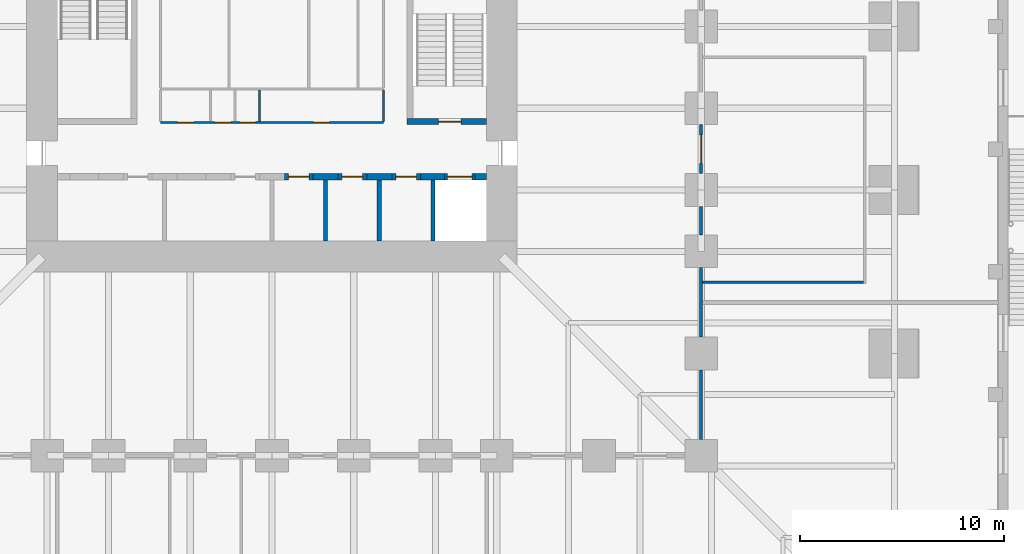
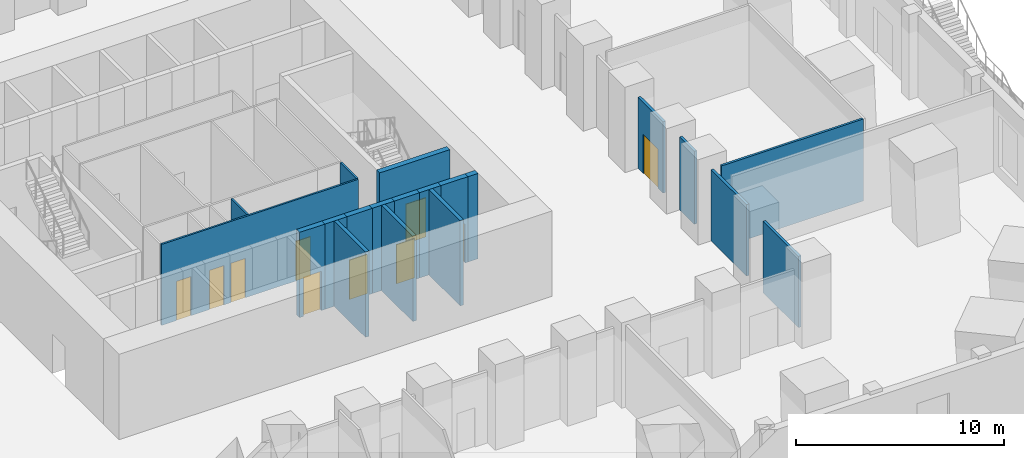
# One storey, part 11 of 20: 20 walls, 10 doors, 10 openings.
"""IFC4 building model written with IfcOpenShell, lengths in metres."""

from ifc_helpers import new_model, si_unit, direction, frame, frame_2d, origin, place, context, subcontext, project, spatial, rectangle, extrude, material, layer, layer_set, type_object, element, fill, save


model = new_model("IFC4")

# Units and contexts
model_context = context("Model", 3, precision=1e-05, world=origin(), true_north=direction((0.0, 1.0)))
body_context = subcontext(model_context, "Body", "Model", "MODEL_VIEW")
ifc_project = project(units=[si_unit("LENGTHUNIT", "METRE"), si_unit("AREAUNIT", "SQUARE_METRE"), si_unit("VOLUMEUNIT", "CUBIC_METRE"), si_unit("PLANEANGLEUNIT", "RADIAN"), si_unit("MASSUNIT", "GRAM", prefix="KILO")], contexts=[model_context])

# Site, building, storey
site_placement = place(None, origin())
site = spatial("IfcSite", under=ifc_project, at=site_placement, CompositionType="ELEMENT")
building_placement = place(site_placement, origin())
building = spatial("IfcBuilding", under=site, at=building_placement, Name="Peilmerk Tower", CompositionType="ELEMENT")
storey_placement = place(building_placement, frame((0.0, 0.0, 11.0)))
storey = spatial("IfcBuildingStorey", under=building, at=storey_placement, Name="L02", CompositionType="ELEMENT", Elevation=11.0)

# Walls
ifc_material_1 = material(Name="Calcium silicate block", Category="masonry")
ifc_layer_1 = layer(ifc_material_1, 0.14990234375)
ifc_layer_set_1 = layer_set([ifc_layer_1], Name="Calcium silicate block")
wall_type_1 = type_object("IfcWallType", Name="IW1 150 corridor partition, EI 60", PredefinedType="PARTITIONING", material=ifc_layer_set_1)
for number, where, z_axis, x_axis, name in (
    (1, (21.0, -20.199951171875, 0.0), (0.0, 0.0, 1.0), (0.0, 1.0, 0.0), "Corridor wall E L02"),
    (2, (21.0, -15.199951171875, 0.0), (0.0, 0.0, 1.0), (0.0, 1.0, 0.0), "Corridor wall Eb L02"),
):
    element("IfcWall", number, at=place(storey_placement, frame(where, z_axis=z_axis, x_axis=x_axis)), inside=storey, type_object=wall_type_1, Name=name, PredefinedType="PARTITIONING", context=body_context, shape_type="SweptSolid", body=[
        extrude(rectangle(XDim=3.39990234375, YDim=0.14990234375, at=frame_2d((1.699951171875, 0.0))), origin(), (0.0, 0.0, 1.0), 4.179931640625),
    ])
wall_1_placement = place(storey_placement, frame((21.0, -10.199951171875, 0.0), z_axis=(0.0, 0.0, 1.0), x_axis=(0.0, 1.0, 0.0)))
element("IfcWall", 3, at=wall_1_placement, inside=storey, type_object=wall_type_1, Name="Corridor wall Ec L02", PredefinedType="PARTITIONING", context=body_context, shape_type="SweptSolid", body=[
    extrude(rectangle(XDim=1.39990234375, YDim=0.14990234375, at=frame_2d((0.699951171875, 0.0))), origin(), (0.0, 0.0, 1.0), 4.27587890625),
])

# Wall, opening, door
wall_2_placement = place(storey_placement, frame((21.0, -7.199951171875, 0.0), z_axis=(0.0, 0.0, 1.0), x_axis=(0.0, 1.0, 0.0)))
wall_2 = element("IfcWall", 4, at=wall_2_placement, inside=storey, type_object=wall_type_1, Name="Corridor wall Ed L02", PredefinedType="PARTITIONING", context=body_context, shape_type="SweptSolid", body=[
    extrude(rectangle(XDim=2.39990234375, YDim=0.14990234375, at=frame_2d((1.199951171875, 0.0))), origin(), (0.0, 0.0, 1.0), 4.179931640625),
])
opening_1_placement = place(wall_2_placement, frame((0.5, 0.0, 0.0)))
opening_1 = element("IfcOpeningElement", 5, at=opening_1_placement, cuts=wall_2, Name="Opening D8", PredefinedType="OPENING", context=body_context, shape_type="SweptSolid", body=[
    extrude(rectangle(XDim=1.39990234375, YDim=2.300048828125, at=frame_2d((0.699951171875, 1.14990234375))), frame((0.0, 0.0849609375, 0.0), z_axis=(0.0, -1.0, 0.0), x_axis=(1.0, 0.0, 0.0)), (0.0, 0.0, 1.0), 0.169921875),
])
ifc_material_2 = material(Name="Timber door in steel frame", Category="steel")
door_type_1 = type_object("IfcDoorType", Name="D8 1400x2300 leaf-and-a-half door, EI2 30", OperationType="DOUBLE_DOOR_SINGLE_SWING", PredefinedType="DOOR", material=ifc_material_2)
door_1_placement = place(opening_1_placement, frame((1.39990234375, 0.0, 0.0), z_axis=(0.0, 0.0, 1.0), x_axis=(-1.0, 0.0, 0.0)))
door_1 = element("IfcDoor", 6, at=door_1_placement, inside=storey, type_object=door_type_1, Name="Door Training room L02", OperationType="DOUBLE_DOOR_SINGLE_SWING", OverallHeight=2.300048828125, OverallWidth=1.39990234375, PredefinedType="DOOR", context=body_context, shape_type="SweptSolid", body=[
    extrude(rectangle(XDim=1.39990234375, YDim=2.300048828125, at=frame_2d((0.699951171875, 1.14990234375))), frame((0.0, 0.02490234375, 0.0), z_axis=(0.0, -1.0, 0.0), x_axis=(1.0, 0.0, 0.0)), (0.0, 0.0, 1.0), 0.050048828125),
])
fill(opening_1, door_1)

ifc_material_3 = material(Name="Concrete C35/45", Category="concrete")
ifc_layer_2 = layer(ifc_material_3, 0.300048828125)
ifc_layer_set_2 = layer_set([ifc_layer_2], Name="Concrete C35/45")
wall_type_2 = type_object("IfcWallType", Name="IW3 300 concrete stair enclosure wall, EI 120", PredefinedType="SOLIDWALL", material=ifc_layer_set_2)
wall_3_placement = place(storey_placement, frame((10.5, -4.64990234375, 0.0), z_axis=(0.0, 0.0, 1.0), x_axis=(-1.0, 0.0, 0.0)))
wall_3 = element("IfcWall", 7, at=wall_3_placement, inside=storey, type_object=wall_type_2, Name="Stair 2 enclosure L02", PredefinedType="SOLIDWALL", context=body_context, shape_type="SweptSolid", body=[
    extrude(rectangle(XDim=3.89990234375, YDim=0.300048828125, at=frame_2d((1.949951171875, 0.0))), origin(), (0.0, 0.0, 1.0), 4.75),
])
opening_2_placement = place(wall_3_placement, frame((1.25, 0.0, 0.0)))
opening_2 = element("IfcOpeningElement", 8, at=opening_2_placement, cuts=wall_3, Name="Opening D4", PredefinedType="OPENING", context=body_context, shape_type="SweptSolid", body=[
    extrude(rectangle(XDim=1.10009765625, YDim=2.300048828125, at=frame_2d((0.550048828125, 1.14990234375))), frame((0.0, 0.159912109375, 0.0), z_axis=(0.0, -1.0, 0.0), x_axis=(1.0, 0.0, 0.0)), (0.0, 0.0, 1.0), 0.320068359375),
])
ifc_material_4 = material(Name="Steel door in steel frame", Category="steel")
door_type_2 = type_object("IfcDoorType", Name="D4 1100x2300 stair door, EI2 60", OperationType="SINGLE_SWING_RIGHT", PredefinedType="DOOR", material=ifc_material_4)
door_2_placement = place(opening_2_placement, frame((1.10009765625, 0.0, 0.0), z_axis=(0.0, 0.0, 1.0), x_axis=(-1.0, 0.0, 0.0)))
door_2 = element("IfcDoor", 9, at=door_2_placement, inside=storey, type_object=door_type_2, Name="Stair 2 door L02", OperationType="SINGLE_SWING_RIGHT", OverallHeight=2.300048828125, OverallWidth=1.10009765625, PredefinedType="DOOR", context=body_context, shape_type="SweptSolid", body=[
    extrude(rectangle(XDim=1.10009765625, YDim=2.300048828125, at=frame_2d((0.550048828125, 1.14990234375))), frame((0.0, 0.02490234375, 0.0), z_axis=(0.0, -1.0, 0.0), x_axis=(1.0, 0.0, 0.0)), (0.0, 0.0, 1.0), 0.050048828125),
])
fill(opening_2, door_2)

# Wall, openings, doors
ifc_material_5 = material(Name="Calcium silicate board on steel studs", Category="steel")
ifc_layer_3 = layer(ifc_material_5, 0.10009765625)
ifc_layer_set_3 = layer_set([ifc_layer_3], Name="Calcium silicate board on steel studs")
wall_type_3 = type_object("IfcWallType", Name="IW5 100 riser enclosure wall, EI 60", PredefinedType="PARTITIONING", material=ifc_layer_set_3)
wall_4_placement = place(storey_placement, frame((5.449951171875, -4.699951171875, 0.0), z_axis=(0.0, 0.0, 1.0), x_axis=(-1.0, 0.0, 0.0)))
wall_4 = element("IfcWall", 10, at=wall_4_placement, inside=storey, type_object=wall_type_3, Name="Riser wall L02", PredefinedType="PARTITIONING", context=body_context, shape_type="SweptSolid", body=[
    extrude(rectangle(XDim=10.89990234375, YDim=0.10009765625, at=frame_2d((5.449951171875, 0.0))), origin(), (0.0, 0.0, 1.0), 4.75),
])
opening_3_placement = place(wall_4_placement, frame((9.27490234375, 0.0, 0.0)))
opening_3 = element("IfcOpeningElement", 11, at=opening_3_placement, cuts=wall_4, Name="Opening D7", PredefinedType="OPENING", context=body_context, shape_type="SweptSolid", body=[
    extrude(rectangle(XDim=0.800048828125, YDim=2.300048828125, at=frame_2d((0.39990234375, 1.14990234375))), frame((0.0, 0.06005859375, 0.0), z_axis=(0.0, -1.0, 0.0), x_axis=(1.0, 0.0, 0.0)), (0.0, 0.0, 1.0), 0.1201171875),
])
opening_4_placement = place(wall_4_placement, frame((7.449951171875, 0.0, 0.0)))
opening_4 = element("IfcOpeningElement", 12, at=opening_4_placement, cuts=wall_4, Name="Opening D7", PredefinedType="OPENING", context=body_context, shape_type="SweptSolid", body=[
    extrude(rectangle(XDim=0.800048828125, YDim=2.300048828125, at=frame_2d((0.39990234375, 1.14990234375))), frame((0.0, 0.06005859375, 0.0), z_axis=(0.0, -1.0, 0.0), x_axis=(1.0, 0.0, 0.0)), (0.0, 0.0, 1.0), 0.1201171875),
])
opening_5_placement = place(wall_4_placement, frame((6.25, 0.0, 0.0)))
opening_5 = element("IfcOpeningElement", 13, at=opening_5_placement, cuts=wall_4, Name="Opening D7", PredefinedType="OPENING", context=body_context, shape_type="SweptSolid", body=[
    extrude(rectangle(XDim=0.800048828125, YDim=2.300048828125, at=frame_2d((0.39990234375, 1.14990234375))), frame((0.0, 0.06005859375, 0.0), z_axis=(0.0, -1.0, 0.0), x_axis=(1.0, 0.0, 0.0)), (0.0, 0.0, 1.0), 0.1201171875),
])
opening_6_placement = place(wall_4_placement, frame((2.625, 0.0, 0.0)))
opening_6 = element("IfcOpeningElement", 14, at=opening_6_placement, cuts=wall_4, Name="Opening D7", PredefinedType="OPENING", context=body_context, shape_type="SweptSolid", body=[
    extrude(rectangle(XDim=0.800048828125, YDim=2.300048828125, at=frame_2d((0.39990234375, 1.14990234375))), frame((0.0, 0.06005859375, 0.0), z_axis=(0.0, -1.0, 0.0), x_axis=(1.0, 0.0, 0.0)), (0.0, 0.0, 1.0), 0.1201171875),
])
door_type_3 = type_object("IfcDoorType", Name="D7 800x2300 riser access door, EI2 60", OperationType="SINGLE_SWING_RIGHT", PredefinedType="DOOR", material=ifc_material_4)
door_3_placement = place(opening_3_placement, frame((0.800048828125, 0.0, 0.0), z_axis=(0.0, 0.0, 1.0), x_axis=(-1.0, 0.0, 0.0)))
door_3 = element("IfcDoor", 15, at=door_3_placement, inside=storey, type_object=door_type_3, Name="Cleaner's cupboard door L02", OperationType="SINGLE_SWING_RIGHT", OverallHeight=2.300048828125, OverallWidth=0.800048828125, PredefinedType="DOOR", context=body_context, shape_type="SweptSolid", body=[
    extrude(rectangle(XDim=0.800048828125, YDim=2.300048828125, at=frame_2d((0.39990234375, 1.14990234375))), frame((0.0, 0.02490234375, 0.0), z_axis=(0.0, -1.0, 0.0), x_axis=(1.0, 0.0, 0.0)), (0.0, 0.0, 1.0), 0.050048828125),
])
fill(opening_3, door_3)
door_4_placement = place(opening_4_placement, frame((0.800048828125, 0.0, 0.0), z_axis=(0.0, 0.0, 1.0), x_axis=(-1.0, 0.0, 0.0)))
door_4 = element("IfcDoor", 16, at=door_4_placement, inside=storey, type_object=door_type_3, Name="Electrical riser door L02", OperationType="SINGLE_SWING_RIGHT", OverallHeight=2.300048828125, OverallWidth=0.800048828125, PredefinedType="DOOR", context=body_context, shape_type="SweptSolid", body=[
    extrude(rectangle(XDim=0.800048828125, YDim=2.300048828125, at=frame_2d((0.39990234375, 1.14990234375))), frame((0.0, 0.02490234375, 0.0), z_axis=(0.0, -1.0, 0.0), x_axis=(1.0, 0.0, 0.0)), (0.0, 0.0, 1.0), 0.050048828125),
])
fill(opening_4, door_4)
door_5_placement = place(opening_5_placement, frame((0.800048828125, 0.0, 0.0), z_axis=(0.0, 0.0, 1.0), x_axis=(-1.0, 0.0, 0.0)))
door_5 = element("IfcDoor", 17, at=door_5_placement, inside=storey, type_object=door_type_3, Name="Data riser door L02", OperationType="SINGLE_SWING_RIGHT", OverallHeight=2.300048828125, OverallWidth=0.800048828125, PredefinedType="DOOR", context=body_context, shape_type="SweptSolid", body=[
    extrude(rectangle(XDim=0.800048828125, YDim=2.300048828125, at=frame_2d((0.39990234375, 1.14990234375))), frame((0.0, 0.02490234375, 0.0), z_axis=(0.0, -1.0, 0.0), x_axis=(1.0, 0.0, 0.0)), (0.0, 0.0, 1.0), 0.050048828125),
])
fill(opening_5, door_5)
door_6_placement = place(opening_6_placement, frame((0.800048828125, 0.0, 0.0), z_axis=(0.0, 0.0, 1.0), x_axis=(-1.0, 0.0, 0.0)))
door_6 = element("IfcDoor", 18, at=door_6_placement, inside=storey, type_object=door_type_3, Name="Comms room door L02", OperationType="SINGLE_SWING_RIGHT", OverallHeight=2.300048828125, OverallWidth=0.800048828125, PredefinedType="DOOR", context=body_context, shape_type="SweptSolid", body=[
    extrude(rectangle(XDim=0.800048828125, YDim=2.300048828125, at=frame_2d((0.39990234375, 1.14990234375))), frame((0.0, 0.02490234375, 0.0), z_axis=(0.0, -1.0, 0.0), x_axis=(1.0, 0.0, 0.0)), (0.0, 0.0, 1.0), 0.050048828125),
])
fill(opening_6, door_6)

# Walls
for number, where, z_axis, x_axis, name in (
    (19, (5.449951171875, -3.10009765625, 0.0), (0.0, 0.0, 1.0), (0.0, -1.0, 0.0), "Riser wall L02"),
    (20, (-0.60009765625, -3.10009765625, 0.0), (0.0, 0.0, 1.0), (0.0, -1.0, 0.0), "Riser wall L02"),
):
    element("IfcWall", number, at=place(storey_placement, frame(where, z_axis=z_axis, x_axis=x_axis)), inside=storey, type_object=wall_type_3, Name=name, PredefinedType="PARTITIONING", context=body_context, shape_type="SweptSolid", body=[
        extrude(rectangle(XDim=1.5498046875, YDim=0.10009765625, at=frame_2d((0.77490234375, 0.0))), origin(), (0.0, 0.0, 1.0), 4.75),
    ])
ifc_material_6 = material(Name="Plasterboard on steel studs, double boarded with mineral wool", Category="steel")
ifc_layer_4 = layer(ifc_material_6, 0.125)
ifc_layer_set_4 = layer_set([ifc_layer_4], Name="Plasterboard on steel studs, double boarded with mineral wool")
wall_type_4 = type_object("IfcWallType", Name="IW7 125 acoustic partition, EI 30", PredefinedType="PARTITIONING", material=ifc_layer_set_4)
wall_5_placement = place(storey_placement, frame((21.074951171875, -12.5, 0.0), z_axis=(0.0, 0.0, 1.0), x_axis=(1.0, 0.0, 0.0)))
element("IfcWall", 21, at=wall_5_placement, inside=storey, type_object=wall_type_4, Name="Acoustic partition Training room L02", PredefinedType="PARTITIONING", context=body_context, shape_type="SweptSolid", body=[
    extrude(rectangle(XDim=7.862548828125, YDim=0.125, at=frame_2d((3.93115234375, 0.0))), origin(), (0.0, 0.0, 1.0), 4.800048828125),
])
ifc_layer_5 = layer(ifc_material_1, 0.199951171875)
ifc_layer_set_5 = layer_set([ifc_layer_5], Name="Calcium silicate block")
wall_type_5 = type_object("IfcWallType", Name="SH1 200 shaft dividing wall, EI 120", PredefinedType="PARTITIONING", material=ifc_layer_set_5)
for number, where, z_axis, x_axis, name in (
    (22, (2.625, -10.5, 0.0), (0.0, 0.0, 1.0), (0.0, 1.0, 0.0), "Shaft wall S B3 L02"),
    (23, (5.25, -10.5, 0.0), (0.0, 0.0, 1.0), (0.0, 1.0, 0.0), "Shaft wall S B2 L02"),
    (24, (7.875, -10.5, 0.0), (0.0, 0.0, 1.0), (0.0, 1.0, 0.0), "Shaft wall S B1 L02"),
):
    element("IfcWall", number, at=place(storey_placement, frame(where, z_axis=z_axis, x_axis=x_axis)), inside=storey, type_object=wall_type_5, Name=name, PredefinedType="PARTITIONING", context=body_context, shape_type="SweptSolid", body=[
        extrude(rectangle(XDim=3.0, YDim=0.199951171875, at=frame_2d((1.5, 0.0))), origin(), (0.0, 0.0, 1.0), 5.0),
    ])

# Wall, opening, door
ifc_layer_6 = layer(ifc_material_1, 0.300048828125)
ifc_layer_set_6 = layer_set([ifc_layer_6], Name="Calcium silicate block")
wall_type_6 = type_object("IfcWallType", Name="SH2 300 lift landing door panel, EI 120", PredefinedType="PARTITIONING", material=ifc_layer_set_6)
wall_6_placement = place(storey_placement, frame((0.612548828125, -7.35009765625, 0.0), z_axis=(0.0, 0.0, 1.0), x_axis=(1.0, 0.0, 0.0)))
wall_6 = element("IfcWall", 25, at=wall_6_placement, inside=storey, type_object=wall_type_6, Name="Lift door panel S B3 L02", PredefinedType="PARTITIONING", context=body_context, shape_type="SweptSolid", body=[
    extrude(rectangle(XDim=1.39990234375, YDim=0.300048828125, at=frame_2d((0.699951171875, 0.0))), origin(), (0.0, 0.0, 1.0), 5.0),
])
opening_7_placement = place(wall_6_placement, frame((0.199951171875, 0.0, 0.0)))
opening_7 = element("IfcOpeningElement", 26, at=opening_7_placement, cuts=wall_6, Name="Opening D10", PredefinedType="OPENING", context=body_context, shape_type="SweptSolid", body=[
    extrude(rectangle(XDim=1.0, YDim=2.300048828125, at=frame_2d((0.5, 1.14990234375))), frame((0.0, 0.159912109375, 0.0), z_axis=(0.0, -1.0, 0.0), x_axis=(1.0, 0.0, 0.0)), (0.0, 0.0, 1.0), 0.320068359375),
])
door_type_4 = type_object("IfcDoorType", Name="D10 1000x2300 core room door, EI2 60", OperationType="SINGLE_SWING_RIGHT", PredefinedType="DOOR", material=ifc_material_4)
door_7_placement = place(opening_7_placement, frame((1.0, 0.0, 0.0), z_axis=(0.0, 0.0, 1.0), x_axis=(-1.0, 0.0, 0.0)))
door_7 = element("IfcDoor", 27, at=door_7_placement, inside=storey, type_object=door_type_4, Name="Door Electrical room L02", OperationType="SINGLE_SWING_RIGHT", OverallHeight=2.300048828125, OverallWidth=1.0, PredefinedType="DOOR", context=body_context, shape_type="SweptSolid", body=[
    extrude(rectangle(XDim=1.0, YDim=2.300048828125, at=frame_2d((0.5, 1.14990234375))), frame((0.0, 0.02490234375, 0.0), z_axis=(0.0, -1.0, 0.0), x_axis=(1.0, 0.0, 0.0)), (0.0, 0.0, 1.0), 0.050048828125),
])
fill(opening_7, door_7)

wall_7_placement = place(storey_placement, frame((3.237548828125, -7.35009765625, 0.0), z_axis=(0.0, 0.0, 1.0), x_axis=(1.0, 0.0, 0.0)))
wall_7 = element("IfcWall", 28, at=wall_7_placement, inside=storey, type_object=wall_type_6, Name="Lift door panel S B2 L02", PredefinedType="PARTITIONING", context=body_context, shape_type="SweptSolid", body=[
    extrude(rectangle(XDim=1.39990234375, YDim=0.300048828125, at=frame_2d((0.699951171875, 0.0))), origin(), (0.0, 0.0, 1.0), 5.0),
])
opening_8_placement = place(wall_7_placement, frame((0.199951171875, 0.0, 0.0)))
opening_8 = element("IfcOpeningElement", 29, at=opening_8_placement, cuts=wall_7, Name="Opening D10", PredefinedType="OPENING", context=body_context, shape_type="SweptSolid", body=[
    extrude(rectangle(XDim=1.0, YDim=2.300048828125, at=frame_2d((0.5, 1.14990234375))), frame((0.0, 0.159912109375, 0.0), z_axis=(0.0, -1.0, 0.0), x_axis=(1.0, 0.0, 0.0)), (0.0, 0.0, 1.0), 0.320068359375),
])
door_8_placement = place(opening_8_placement, frame((1.0, 0.0, 0.0), z_axis=(0.0, 0.0, 1.0), x_axis=(-1.0, 0.0, 0.0)))
door_8 = element("IfcDoor", 30, at=door_8_placement, inside=storey, type_object=door_type_4, Name="Door Water meter room L02", OperationType="SINGLE_SWING_RIGHT", OverallHeight=2.300048828125, OverallWidth=1.0, PredefinedType="DOOR", context=body_context, shape_type="SweptSolid", body=[
    extrude(rectangle(XDim=1.0, YDim=2.300048828125, at=frame_2d((0.5, 1.14990234375))), frame((0.0, 0.02490234375, 0.0), z_axis=(0.0, -1.0, 0.0), x_axis=(1.0, 0.0, 0.0)), (0.0, 0.0, 1.0), 0.050048828125),
])
fill(opening_8, door_8)

wall_8_placement = place(storey_placement, frame((5.862548828125, -7.35009765625, 0.0), z_axis=(0.0, 0.0, 1.0), x_axis=(1.0, 0.0, 0.0)))
wall_8 = element("IfcWall", 31, at=wall_8_placement, inside=storey, type_object=wall_type_6, Name="Lift door panel S B1 L02", PredefinedType="PARTITIONING", context=body_context, shape_type="SweptSolid", body=[
    extrude(rectangle(XDim=1.39990234375, YDim=0.300048828125, at=frame_2d((0.699951171875, 0.0))), origin(), (0.0, 0.0, 1.0), 5.0),
])
opening_9_placement = place(wall_8_placement, frame((0.199951171875, 0.0, 0.0)))
opening_9 = element("IfcOpeningElement", 32, at=opening_9_placement, cuts=wall_8, Name="Opening D10", PredefinedType="OPENING", context=body_context, shape_type="SweptSolid", body=[
    extrude(rectangle(XDim=1.0, YDim=2.300048828125, at=frame_2d((0.5, 1.14990234375))), frame((0.0, 0.159912109375, 0.0), z_axis=(0.0, -1.0, 0.0), x_axis=(1.0, 0.0, 0.0)), (0.0, 0.0, 1.0), 0.320068359375),
])
door_9_placement = place(opening_9_placement, frame((1.0, 0.0, 0.0), z_axis=(0.0, 0.0, 1.0), x_axis=(-1.0, 0.0, 0.0)))
door_9 = element("IfcDoor", 33, at=door_9_placement, inside=storey, type_object=door_type_4, Name="Door Staff WC L02", OperationType="SINGLE_SWING_RIGHT", OverallHeight=2.300048828125, OverallWidth=1.0, PredefinedType="DOOR", context=body_context, shape_type="SweptSolid", body=[
    extrude(rectangle(XDim=1.0, YDim=2.300048828125, at=frame_2d((0.5, 1.14990234375))), frame((0.0, 0.02490234375, 0.0), z_axis=(0.0, -1.0, 0.0), x_axis=(1.0, 0.0, 0.0)), (0.0, 0.0, 1.0), 0.050048828125),
])
fill(opening_9, door_9)

wall_9_placement = place(storey_placement, frame((8.4375, -7.35009765625, 0.0), z_axis=(0.0, 0.0, 1.0), x_axis=(1.0, 0.0, 0.0)))
wall_9 = element("IfcWall", 34, at=wall_9_placement, inside=storey, type_object=wall_type_6, Name="Lift door panel S FL2 L02", PredefinedType="PARTITIONING", context=body_context, shape_type="SweptSolid", body=[
    extrude(rectangle(XDim=1.5, YDim=0.300048828125, at=frame_2d((0.75, 0.0))), origin(), (0.0, 0.0, 1.0), 5.0),
])
opening_10_placement = place(wall_9_placement, frame((0.14990234375, 0.0, 0.0)))
opening_10 = element("IfcOpeningElement", 35, at=opening_10_placement, cuts=wall_9, Name="Opening LD2", PredefinedType="OPENING", context=body_context, shape_type="SweptSolid", body=[
    extrude(rectangle(XDim=1.199951171875, YDim=2.300048828125, at=frame_2d((0.60009765625, 1.14990234375))), frame((0.0, 0.159912109375, 0.0), z_axis=(0.0, -1.0, 0.0), x_axis=(1.0, 0.0, 0.0)), (0.0, 0.0, 1.0), 0.320068359375),
])
ifc_material_7 = material(Name="Stainless steel landing door", Category="steel")
door_type_5 = type_object("IfcDoorType", Name="LD2 1200x2300 lift landing door, sliding, EI2 60", OperationType="SLIDING_TO_LEFT", PredefinedType="DOOR", material=ifc_material_7)
door_10_placement = place(opening_10_placement, origin())
door_10 = element("IfcDoor", 36, at=door_10_placement, inside=storey, type_object=door_type_5, Name="Lift landing door FL2 L02", OperationType="SLIDING_TO_LEFT", OverallHeight=2.300048828125, OverallWidth=1.199951171875, PredefinedType="DOOR", context=body_context, shape_type="SweptSolid", body=[
    extrude(rectangle(XDim=1.199951171875, YDim=2.300048828125, at=frame_2d((0.60009765625, 1.14990234375))), frame((0.0, 0.02490234375, 0.0), z_axis=(0.0, -1.0, 0.0), x_axis=(1.0, 0.0, 0.0)), (0.0, 0.0, 1.0), 0.050048828125),
])
fill(opening_10, door_10)

# Walls
ifc_material_8 = material(Name="Concrete C55/67", Category="concrete")
ifc_layer_7 = layer(ifc_material_8, 0.300048828125)
ifc_layer_set_7 = layer_set([ifc_layer_7], Name="Concrete C55/67")
wall_type_7 = type_object("IfcWallType", Name="SW2 300 lift bank pier", PredefinedType="SHEAR", material=ifc_layer_set_7)
for number, where, z_axis, x_axis, name in (
    (37, (2.012451171875, -7.35009765625, 0.0), (0.0, 0.0, 1.0), (1.0, 0.0, 0.0), "Lift bank pier S L02"),
    (38, (4.637451171875, -7.35009765625, 0.0), (0.0, 0.0, 1.0), (1.0, 0.0, 0.0), "Lift bank pier S L02"),
):
    element("IfcWall", number, at=place(storey_placement, frame(where, z_axis=z_axis, x_axis=x_axis)), inside=storey, type_object=wall_type_7, Name=name, PredefinedType="SHEAR", context=body_context, shape_type="SweptSolid", body=[
        extrude(rectangle(XDim=1.22509765625, YDim=0.300048828125, at=frame_2d((0.612548828125, 0.0))), origin(), (0.0, 0.0, 1.0), 5.0),
    ])
wall_10_placement = place(storey_placement, frame((7.262451171875, -7.35009765625, 0.0), z_axis=(0.0, 0.0, 1.0), x_axis=(1.0, 0.0, 0.0)))
element("IfcWall", 39, at=wall_10_placement, inside=storey, type_object=wall_type_7, Name="Lift bank pier S L02", PredefinedType="SHEAR", context=body_context, shape_type="SweptSolid", body=[
    extrude(rectangle(XDim=1.175048828125, YDim=0.300048828125, at=frame_2d((0.58740234375, 0.0))), origin(), (0.0, 0.0, 1.0), 5.0),
])
wall_11_placement = place(storey_placement, frame((9.9375, -7.35009765625, 0.0), z_axis=(0.0, 0.0, 1.0), x_axis=(1.0, 0.0, 0.0)))
element("IfcWall", 40, at=wall_11_placement, inside=storey, type_object=wall_type_7, Name="Lift bank pier S L02", PredefinedType="SHEAR", context=body_context, shape_type="SweptSolid", body=[
    extrude(rectangle(XDim=0.5625, YDim=0.300048828125, at=frame_2d((0.28125, 0.0))), origin(), (0.0, 0.0, 1.0), 5.0),
])

save(model, "model.ifc")
